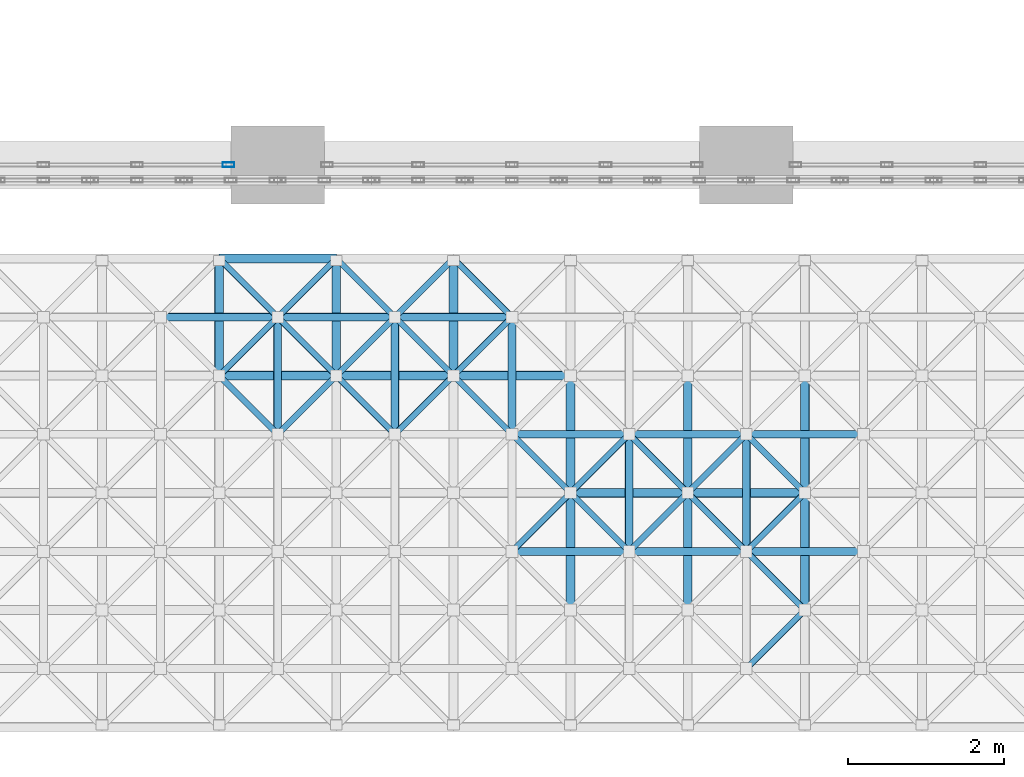
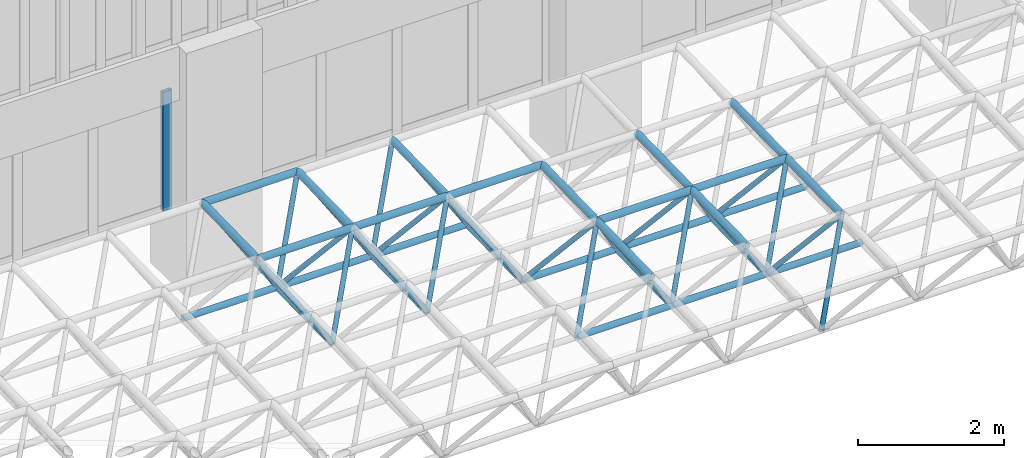
# One storey, part 12 of 103: 57 members, 1 element without a shape of its own.
"""IFC4 building model written with IfcOpenShell, lengths in metres."""

from ifc_helpers import new_model, si_unit, direction, frame, origin, origin_2d, place, context, subcontext, project, spatial, hollow_rectangle, hollow_circle, extrude, material, material_profile, profile_set, type_object, element, aggregate, save


model = new_model("IFC4")

# Units and contexts
model_context = context("Model", 3, precision=1e-05, world=origin(), true_north=direction((0.0, 1.0)))
body_context = subcontext(model_context, "Body", "Model", "MODEL_VIEW")
ifc_project = project(units=[si_unit("LENGTHUNIT", "METRE"), si_unit("AREAUNIT", "SQUARE_METRE"), si_unit("VOLUMEUNIT", "CUBIC_METRE"), si_unit("PLANEANGLEUNIT", "RADIAN"), si_unit("MASSUNIT", "GRAM", prefix="KILO")], contexts=[model_context])

# Site, building, storey
site_placement = place(None, origin())
site = spatial("IfcSite", under=ifc_project, at=site_placement, CompositionType="ELEMENT")
building_placement = place(site_placement, origin())
building = spatial("IfcBuilding", under=site, at=building_placement, Name="Laocheng Heights Fire and Rescue Headquarters", CompositionType="ELEMENT")
storey_placement = place(building_placement, frame((0.0, 0.0, 4.199951171875)))
storey = spatial("IfcBuildingStorey", under=building, at=storey_placement, Name="L01", CompositionType="ELEMENT", Elevation=4.199951171875)

# Curtain wall, member
ifc_material_1 = material(Name="Aluminium gable glazing, low-e double glazing", Category="aluminium")
curtain_wall_type = type_object("IfcCurtainWallType", Name="GABLE SPANDREL GLAZED UNIT 4800 x 1990", PredefinedType="NOTDEFINED", material=ifc_material_1)
curtain_wall_placement = place(storey_placement, origin())
curtain_wall = element("IfcCurtainWall", 1, at=curtain_wall_placement, inside=storey, type_object=curtain_wall_type, Name="Gable spandrel glazing S2", PredefinedType="NOTDEFINED")
ifc_material_2 = material(Name="Aluminium 6063-T5 extrusion", Category="aluminium")
ifc_material_profile_1 = material_profile(ifc_material_2, hollow_rectangle(XDim=0.06005859375, YDim=0.14990234375, WallThickness=0.0029296875, at=origin_2d()), Name="AL MULLION 150x60x3")
ifc_profile_set_1 = profile_set([ifc_material_profile_1], Name="Aluminium 6063-T5 extrusion")
member_type_1 = type_object("IfcMemberType", Name="AL GABLE MULLION 150x60x3", PredefinedType="MULLION", material=ifc_profile_set_1)
member_1_placement = place(storey_placement, frame((29.3701171875, 0.0, 1.199951171875), z_axis=(0.0, 0.0, 1.0), x_axis=(0.0, 1.0, 0.0)))
member_1 = element("IfcMember", 2, at=member_1_placement, type_object=member_type_1, Name="X1-D mullion 5", PredefinedType="MULLION", context=body_context, shape_type="SweptSolid", body=[
    extrude(hollow_rectangle(XDim=0.06005859375, YDim=0.14990234375, WallThickness=0.0029296875, at=origin_2d()), origin(), (0.0, 0.0, 1.0), 1.990478515625),
])
aggregate(curtain_wall, [member_1])

# Members
ifc_material_3 = material(Name="Steel Q355B", Category="steel")
ifc_material_profile_2 = material_profile(ifc_material_3, hollow_circle(Radius=0.05078125, WallThickness=0.00390625, at=origin_2d()), Name="CHS 101.6x4")
ifc_profile_set_2 = profile_set([ifc_material_profile_2], Name="Steel Q355B")
member_type_2 = type_object("IfcMemberType", Name="APRON CANOPY BOTTOM CHORD CHS 101.6x4", PredefinedType="CHORD", material=ifc_profile_set_2)
for number, where, z_axis, x_axis, name in (
    (3, (28.5, -1.949951171875, 0.861083984375), (1.0, 0.0, 0.0), (0.0, 1.0, 0.0), "Apron canopy bottom chord AC-B005"),
    (4, (30.0, -1.949951171875, 0.861083984375), (1.0, 0.0, 0.0), (0.0, 1.0, 0.0), "Apron canopy bottom chord AC-B006"),
    (5, (31.5, -1.949951171875, 0.861083984375), (1.0, 0.0, 0.0), (0.0, 1.0, 0.0), "Apron canopy bottom chord AC-B007"),
    (6, (33.0, -3.449951171875, 0.8310546875), (1.0, 0.0, 0.0), (0.0, 1.0, 0.0), "Apron canopy bottom chord AC-B030"),
    (7, (34.5, -3.449951171875, 0.8310546875), (1.0, 0.0, 0.0), (0.0, 1.0, 0.0), "Apron canopy bottom chord AC-B031"),
    (8, (36.0, -3.449951171875, 0.8310546875), (1.0, 0.0, 0.0), (0.0, 1.0, 0.0), "Apron canopy bottom chord AC-B032"),
    (9, (33.0, -4.949951171875, 0.801025390625), (1.0, 0.0, 0.0), (0.0, 1.0, 0.0), "Apron canopy bottom chord AC-B052"),
    (10, (34.5, -4.949951171875, 0.801025390625), (1.0, 0.0, 0.0), (0.0, 1.0, 0.0), "Apron canopy bottom chord AC-B053"),
    (11, (36.0, -4.949951171875, 0.801025390625), (1.0, 0.0, 0.0), (0.0, 1.0, 0.0), "Apron canopy bottom chord AC-B054"),
):
    element("IfcMember", number, at=place(storey_placement, frame(where, z_axis=z_axis, x_axis=x_axis)), inside=storey, type_object=member_type_2, Name=name, PredefinedType="CHORD", context=body_context, shape_type="SweptSolid", body=[
        extrude(hollow_circle(Radius=0.05078125, WallThickness=0.00390625, at=origin_2d()), origin(), (0.0, 0.0, 1.0), 1.5),
    ])
for number, where, z_axis, x_axis, name in (
    (12, (30.0, -1.949951171875, 0.861083984375), (0.0, -0.999799669399, -0.020015520725), (1.0, 0.0, 0.0), "Apron canopy bottom chord AC-B104"),
    (13, (31.5, -1.949951171875, 0.861083984375), (0.0, -0.999799669399, -0.020015520725), (1.0, 0.0, 0.0), "Apron canopy bottom chord AC-B107"),
    (14, (33.0, -1.949951171875, 0.861083984375), (0.0, -0.999799669399, -0.020015520725), (1.0, 0.0, 0.0), "Apron canopy bottom chord AC-B110"),
    (15, (34.5, -3.449951171875, 0.8310546875), (0.0, -0.999799669399, -0.020015520725), (1.0, 0.0, 0.0), "Apron canopy bottom chord AC-B114"),
    (16, (36.0, -3.449951171875, 0.8310546875), (0.0, -0.999799669399, -0.020015520725), (1.0, 0.0, 0.0), "Apron canopy bottom chord AC-B117"),
):
    element("IfcMember", number, at=place(storey_placement, frame(where, z_axis=z_axis, x_axis=x_axis)), inside=storey, type_object=member_type_2, Name=name, PredefinedType="CHORD", context=body_context, shape_type="SweptSolid", body=[
        extrude(hollow_circle(Radius=0.05078125, WallThickness=0.00390625, at=origin_2d()), origin(), (0.0, 0.0, 1.0), 1.500244140625),
    ])
ifc_material_4 = material(Name="Steel Q355B", Category="steel")
ifc_material_profile_3 = material_profile(ifc_material_4, hollow_circle(Radius=0.05712890625, WallThickness=0.0048828125, at=origin_2d()), Name="CHS 114.3x5")
ifc_profile_set_3 = profile_set([ifc_material_profile_3], Name="Steel Q355B")
member_type_3 = type_object("IfcMemberType", Name="APRON CANOPY TOP CHORD CHS 114.3x5", PredefinedType="CHORD", material=ifc_profile_set_3)
for number, where, z_axis, x_axis, name in (
    (17, (29.25, -1.199951171875, 2.075927734375), (1.0, 0.0, 0.0), (0.0, 1.0, 0.0), "Apron canopy top chord AC-T006"),
    (18, (29.25, -2.699951171875, 2.046142578125), (1.0, 0.0, 0.0), (0.0, 1.0, 0.0), "Apron canopy top chord AC-T029"),
    (19, (30.75, -2.699951171875, 2.046142578125), (1.0, 0.0, 0.0), (0.0, 1.0, 0.0), "Apron canopy top chord AC-T030"),
    (20, (32.25, -2.699951171875, 2.046142578125), (1.0, 0.0, 0.0), (0.0, 1.0, 0.0), "Apron canopy top chord AC-T031"),
    (21, (33.75, -4.199951171875, 2.01611328125), (1.0, 0.0, 0.0), (0.0, 1.0, 0.0), "Apron canopy top chord AC-T055"),
    (22, (35.25, -4.199951171875, 2.01611328125), (1.0, 0.0, 0.0), (0.0, 1.0, 0.0), "Apron canopy top chord AC-T056"),
):
    element("IfcMember", number, at=place(storey_placement, frame(where, z_axis=z_axis, x_axis=x_axis)), inside=storey, type_object=member_type_3, Name=name, PredefinedType="CHORD", context=body_context, shape_type="SweptSolid", body=[
        extrude(hollow_circle(Radius=0.05712890625, WallThickness=0.0048828125, at=origin_2d()), origin(), (0.0, 0.0, 1.0), 1.5),
    ])
for number, where, z_axis, x_axis, name in (
    (23, (29.25, -1.199951171875, 2.075927734375), (0.0, -0.999802912607, -0.019852857314), (1.0, 0.0, 0.0), "Apron canopy top chord AC-T136"),
    (24, (30.75, -1.199951171875, 2.075927734375), (0.0, -0.999802912607, -0.019852857314), (1.0, 0.0, 0.0), "Apron canopy top chord AC-T140"),
    (25, (32.25, -1.199951171875, 2.075927734375), (0.0, -0.999802912607, -0.019852857314), (1.0, 0.0, 0.0), "Apron canopy top chord AC-T144"),
    (26, (33.75, -2.699951171875, 2.046142578125), (0.0, -0.999799669399, -0.020015520725), (1.0, 0.0, 0.0), "Apron canopy top chord AC-T149"),
    (27, (33.75, -4.199951171875, 2.01611328125), (0.0, -0.999799669399, -0.020015520725), (1.0, 0.0, 0.0), "Apron canopy top chord AC-T150"),
    (28, (35.25, -2.699951171875, 2.046142578125), (0.0, -0.999799669399, -0.020015520725), (1.0, 0.0, 0.0), "Apron canopy top chord AC-T153"),
    (29, (35.25, -4.199951171875, 2.01611328125), (0.0, -0.999799669399, -0.020015520725), (1.0, 0.0, 0.0), "Apron canopy top chord AC-T154"),
    (30, (36.75, -2.699951171875, 2.046142578125), (0.0, -0.999799669399, -0.020015520725), (1.0, 0.0, 0.0), "Apron canopy top chord AC-T157"),
    (31, (36.75, -4.199951171875, 2.01611328125), (0.0, -0.999799669399, -0.020015520725), (1.0, 0.0, 0.0), "Apron canopy top chord AC-T158"),
):
    element("IfcMember", number, at=place(storey_placement, frame(where, z_axis=z_axis, x_axis=x_axis)), inside=storey, type_object=member_type_3, Name=name, PredefinedType="CHORD", context=body_context, shape_type="SweptSolid", body=[
        extrude(hollow_circle(Radius=0.05712890625, WallThickness=0.0048828125, at=origin_2d()), origin(), (0.0, 0.0, 1.0), 1.500244140625),
    ])
ifc_material_5 = material(Name="Steel Q355B", Category="steel")
ifc_material_profile_4 = material_profile(ifc_material_5, hollow_circle(Radius=0.0380859375, WallThickness=0.00390625, at=origin_2d()), Name="CHS 76.1x4")
ifc_profile_set_4 = profile_set([ifc_material_profile_4], Name="Steel Q355B")
member_type_4 = type_object("IfcMemberType", Name="APRON CANOPY WEB CHS 76.1x4", PredefinedType="BRACE", material=ifc_profile_set_4)
for number, where, z_axis, x_axis, name in (
    (32, (30.0, -1.949951171875, 0.861083984375), (-0.46505465934, 0.46505465934, 0.753291661743), (-0.707106781187, -0.707106781187, 0.0), "Apron canopy web AC-W021"),
    (33, (30.0, -1.949951171875, 0.861083984375), (0.46505465934, 0.46505465934, 0.753291661743), (-0.707106781187, 0.707106781187, 0.0), "Apron canopy web AC-W022"),
):
    element("IfcMember", number, at=place(storey_placement, frame(where, z_axis=z_axis, x_axis=x_axis)), inside=storey, type_object=member_type_4, Name=name, PredefinedType="BRACE", context=body_context, shape_type="SweptSolid", body=[
        extrude(hollow_circle(Radius=0.0380859375, WallThickness=0.00390625, at=origin_2d()), origin(), (0.0, 0.0, 1.0), 1.61279296875),
    ])
for number, where, z_axis, x_axis, name in (
    (34, (30.0, -1.949951171875, 0.861083984375), (-0.471580249604, -0.471580249604, 0.745133636582), (0.707106781187, -0.707106781187, 0.0), "Apron canopy web AC-W023"),
    (35, (30.0, -1.949951171875, 0.861083984375), (0.471580249604, -0.471580249604, 0.745133636582), (0.707106781187, 0.707106781187, 0.0), "Apron canopy web AC-W024"),
):
    element("IfcMember", number, at=place(storey_placement, frame(where, z_axis=z_axis, x_axis=x_axis)), inside=storey, type_object=member_type_4, Name=name, PredefinedType="BRACE", context=body_context, shape_type="SweptSolid", body=[
        extrude(hollow_circle(Radius=0.0380859375, WallThickness=0.00390625, at=origin_2d()), origin(), (0.0, 0.0, 1.0), 1.59033203125),
    ])
for number, where, z_axis, x_axis, name in (
    (36, (31.5, -1.949951171875, 0.861083984375), (-0.46505465934, 0.46505465934, 0.753291661743), (-0.707106781187, -0.707106781187, 0.0), "Apron canopy web AC-W025"),
    (37, (31.5, -1.949951171875, 0.861083984375), (0.46505465934, 0.46505465934, 0.753291661743), (-0.707106781187, 0.707106781187, 0.0), "Apron canopy web AC-W026"),
):
    element("IfcMember", number, at=place(storey_placement, frame(where, z_axis=z_axis, x_axis=x_axis)), inside=storey, type_object=member_type_4, Name=name, PredefinedType="BRACE", context=body_context, shape_type="SweptSolid", body=[
        extrude(hollow_circle(Radius=0.0380859375, WallThickness=0.00390625, at=origin_2d()), origin(), (0.0, 0.0, 1.0), 1.61279296875),
    ])
for number, where, z_axis, x_axis, name in (
    (38, (31.5, -1.949951171875, 0.861083984375), (-0.471580249604, -0.471580249604, 0.745133636582), (0.707106781187, -0.707106781187, 0.0), "Apron canopy web AC-W027"),
    (39, (31.5, -1.949951171875, 0.861083984375), (0.471580249604, -0.471580249604, 0.745133636582), (0.707106781187, 0.707106781187, 0.0), "Apron canopy web AC-W028"),
):
    element("IfcMember", number, at=place(storey_placement, frame(where, z_axis=z_axis, x_axis=x_axis)), inside=storey, type_object=member_type_4, Name=name, PredefinedType="BRACE", context=body_context, shape_type="SweptSolid", body=[
        extrude(hollow_circle(Radius=0.0380859375, WallThickness=0.00390625, at=origin_2d()), origin(), (0.0, 0.0, 1.0), 1.59033203125),
    ])
member_2_placement = place(storey_placement, frame((33.0, -1.949951171875, 0.861083984375), z_axis=(-0.46505465934, 0.46505465934, 0.753291661743), x_axis=(-0.707106781187, -0.707106781187, 0.0)))
element("IfcMember", 40, at=member_2_placement, inside=storey, type_object=member_type_4, Name="Apron canopy web AC-W029", PredefinedType="BRACE", context=body_context, shape_type="SweptSolid", body=[
    extrude(hollow_circle(Radius=0.0380859375, WallThickness=0.00390625, at=origin_2d()), origin(), (0.0, 0.0, 1.0), 1.61279296875),
])
member_3_placement = place(storey_placement, frame((33.0, -1.949951171875, 0.861083984375), z_axis=(-0.471580249604, -0.471580249604, 0.745133636582), x_axis=(0.707106781187, -0.707106781187, 0.0)))
element("IfcMember", 41, at=member_3_placement, inside=storey, type_object=member_type_4, Name="Apron canopy web AC-W031", PredefinedType="BRACE", context=body_context, shape_type="SweptSolid", body=[
    extrude(hollow_circle(Radius=0.0380859375, WallThickness=0.00390625, at=origin_2d()), origin(), (0.0, 0.0, 1.0), 1.59033203125),
])
for number, where, z_axis, x_axis, name in (
    (42, (30.0, -3.449951171875, 0.8310546875), (-0.465001629625, 0.465001629625, 0.75335713237), (-0.707106781187, -0.707106781187, 0.0), "Apron canopy web AC-W113"),
    (43, (30.0, -3.449951171875, 0.8310546875), (0.465001629625, 0.465001629625, 0.75335713237), (-0.707106781187, 0.707106781187, 0.0), "Apron canopy web AC-W114"),
    (44, (31.5, -3.449951171875, 0.8310546875), (-0.465001629625, 0.465001629625, 0.75335713237), (-0.707106781187, -0.707106781187, 0.0), "Apron canopy web AC-W117"),
    (45, (31.5, -3.449951171875, 0.8310546875), (0.465001629625, 0.465001629625, 0.75335713237), (-0.707106781187, 0.707106781187, 0.0), "Apron canopy web AC-W118"),
    (46, (33.0, -3.449951171875, 0.8310546875), (-0.465001629625, 0.465001629625, 0.75335713237), (-0.707106781187, -0.707106781187, 0.0), "Apron canopy web AC-W121"),
):
    element("IfcMember", number, at=place(storey_placement, frame(where, z_axis=z_axis, x_axis=x_axis)), inside=storey, type_object=member_type_4, Name=name, PredefinedType="BRACE", context=body_context, shape_type="SweptSolid", body=[
        extrude(hollow_circle(Radius=0.0380859375, WallThickness=0.00390625, at=origin_2d()), origin(), (0.0, 0.0, 1.0), 1.61279296875),
    ])
for number, where, z_axis, x_axis, name in (
    (47, (33.0, -3.449951171875, 0.8310546875), (0.471580249604, -0.471580249604, 0.745133636582), (0.707106781187, 0.707106781187, 0.0), "Apron canopy web AC-W124"),
    (48, (34.5, -3.449951171875, 0.8310546875), (-0.471580249604, -0.471580249604, 0.745133636582), (0.707106781187, -0.707106781187, 0.0), "Apron canopy web AC-W127"),
    (49, (34.5, -3.449951171875, 0.8310546875), (0.471580249604, -0.471580249604, 0.745133636582), (0.707106781187, 0.707106781187, 0.0), "Apron canopy web AC-W128"),
    (50, (36.0, -3.449951171875, 0.8310546875), (-0.471580249604, -0.471580249604, 0.745133636582), (0.707106781187, -0.707106781187, 0.0), "Apron canopy web AC-W131"),
    (51, (36.0, -3.449951171875, 0.8310546875), (0.471580249604, -0.471580249604, 0.745133636582), (0.707106781187, 0.707106781187, 0.0), "Apron canopy web AC-W132"),
):
    element("IfcMember", number, at=place(storey_placement, frame(where, z_axis=z_axis, x_axis=x_axis)), inside=storey, type_object=member_type_4, Name=name, PredefinedType="BRACE", context=body_context, shape_type="SweptSolid", body=[
        extrude(hollow_circle(Radius=0.0380859375, WallThickness=0.00390625, at=origin_2d()), origin(), (0.0, 0.0, 1.0), 1.59033203125),
    ])
for number, where, z_axis, x_axis, name in (
    (52, (33.0, -4.949951171875, 0.801025390625), (0.465001629625, 0.465001629625, 0.75335713237), (-0.707106781187, 0.707106781187, 0.0), "Apron canopy web AC-W214"),
    (53, (34.5, -4.949951171875, 0.801025390625), (-0.465001629625, 0.465001629625, 0.75335713237), (-0.707106781187, -0.707106781187, 0.0), "Apron canopy web AC-W217"),
    (54, (34.5, -4.949951171875, 0.801025390625), (0.465001629625, 0.465001629625, 0.75335713237), (-0.707106781187, 0.707106781187, 0.0), "Apron canopy web AC-W218"),
    (55, (36.0, -4.949951171875, 0.801025390625), (-0.465001629625, 0.465001629625, 0.75335713237), (-0.707106781187, -0.707106781187, 0.0), "Apron canopy web AC-W221"),
    (56, (36.0, -4.949951171875, 0.801025390625), (0.465001629625, 0.465001629625, 0.75335713237), (-0.707106781187, 0.707106781187, 0.0), "Apron canopy web AC-W222"),
):
    element("IfcMember", number, at=place(storey_placement, frame(where, z_axis=z_axis, x_axis=x_axis)), inside=storey, type_object=member_type_4, Name=name, PredefinedType="BRACE", context=body_context, shape_type="SweptSolid", body=[
        extrude(hollow_circle(Radius=0.0380859375, WallThickness=0.00390625, at=origin_2d()), origin(), (0.0, 0.0, 1.0), 1.61279296875),
    ])
member_4_placement = place(storey_placement, frame((36.0, -4.949951171875, 0.801025390625), z_axis=(0.471580249604, -0.471580249604, 0.745133636582), x_axis=(0.707106781187, 0.707106781187, 0.0)))
element("IfcMember", 57, at=member_4_placement, inside=storey, type_object=member_type_4, Name="Apron canopy web AC-W224", PredefinedType="BRACE", context=body_context, shape_type="SweptSolid", body=[
    extrude(hollow_circle(Radius=0.0380859375, WallThickness=0.00390625, at=origin_2d()), origin(), (0.0, 0.0, 1.0), 1.59033203125),
])
member_5_placement = place(storey_placement, frame((36.0, -6.449951171875, 0.77099609375), z_axis=(0.465001629625, 0.465001629625, 0.75335713237), x_axis=(-0.707106781187, 0.707106781187, 0.0)))
element("IfcMember", 58, at=member_5_placement, inside=storey, type_object=member_type_4, Name="Apron canopy web AC-W314", PredefinedType="BRACE", context=body_context, shape_type="SweptSolid", body=[
    extrude(hollow_circle(Radius=0.0380859375, WallThickness=0.00390625, at=origin_2d()), origin(), (0.0, 0.0, 1.0), 1.61279296875),
])

save(model, "model.ifc")
